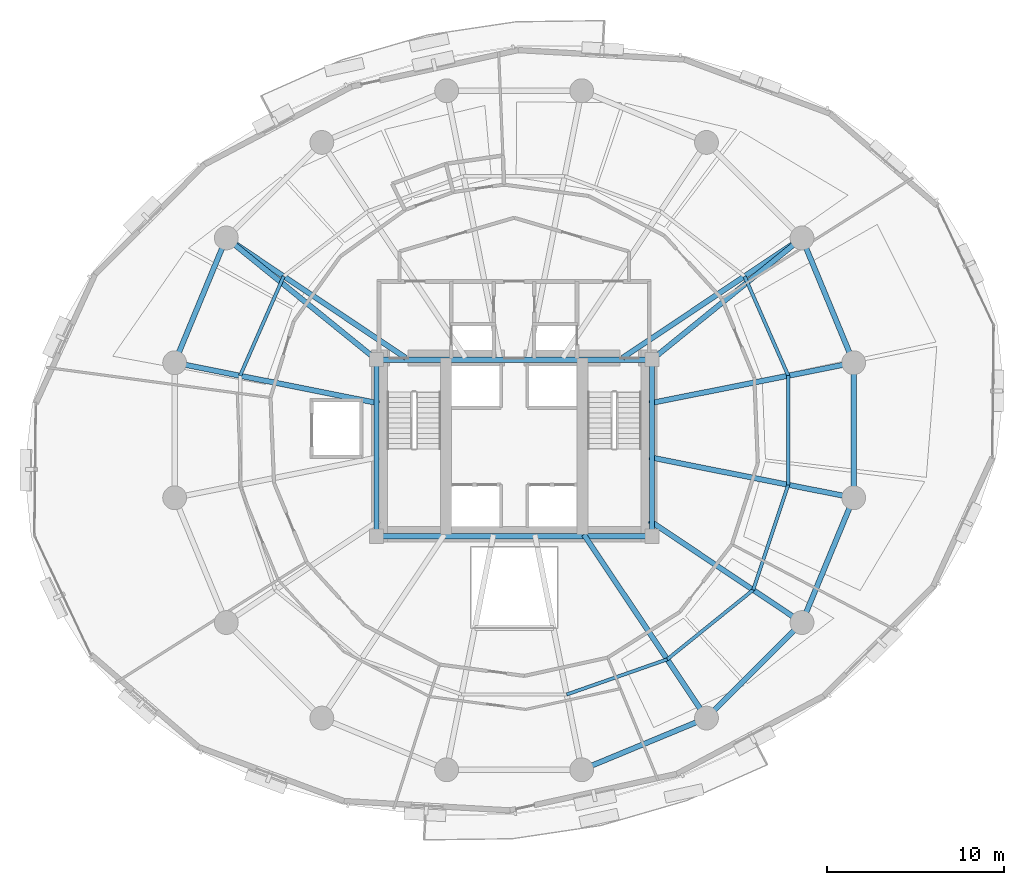
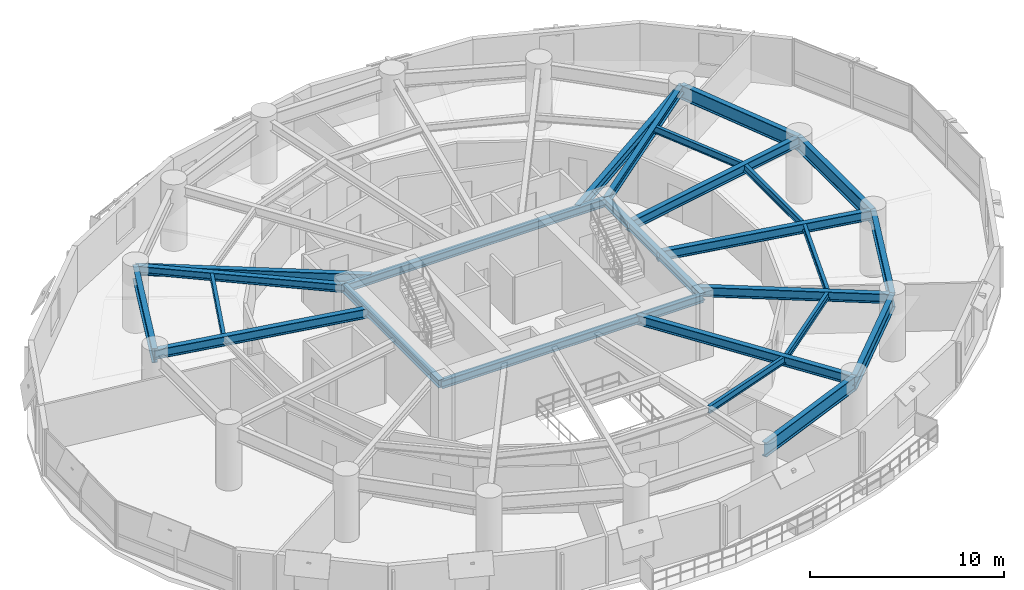
# One storey, part 7 of 17: 25 beams.
"""IFC4 building model written with IfcOpenShell, lengths in metres."""

from ifc_helpers import new_model, si_unit, direction, frame, origin, origin_2d, place, context, subcontext, project, spatial, i_section, extrude, material, material_profile, profile_set, type_object, element, save


model = new_model("IFC4")

# Units and contexts
model_context = context("Model", 3, precision=1e-05, world=origin(), true_north=direction((0.0, 1.0)))
body_context = subcontext(model_context, "Body", "Model", "MODEL_VIEW")
ifc_project = project(units=[si_unit("LENGTHUNIT", "METRE"), si_unit("AREAUNIT", "SQUARE_METRE"), si_unit("VOLUMEUNIT", "CUBIC_METRE"), si_unit("PLANEANGLEUNIT", "RADIAN"), si_unit("MASSUNIT", "GRAM", prefix="KILO"), si_unit("THERMODYNAMICTEMPERATUREUNIT", "KELVIN"), si_unit("POWERUNIT", "WATT")], contexts=[model_context])

# Site, building, storey
site_placement = place(None, origin())
site = spatial("IfcSite", under=ifc_project, at=site_placement, CompositionType="ELEMENT")
building_placement = place(site_placement, origin())
building = spatial("IfcBuilding", under=site, at=building_placement, Name="Ocrelia Relay Tower", CompositionType="ELEMENT")
storey_placement = place(building_placement, frame((0.0, 0.0, 84.60009765625)))
storey = spatial("IfcBuildingStorey", under=building, at=storey_placement, Name="L19", CompositionType="ELEMENT", Elevation=84.60009765625)

# Beams
ifc_material = material(Name="Steel S355", Category="steel")
ifc_material_profile_1 = material_profile(ifc_material, i_section(OverallWidth=0.300048828125, OverallDepth=0.5, WebThickness=0.014404296875, FlangeThickness=0.028076171875, FilletRadius=0.027099609375, at=origin_2d()), Name="HEB 500")
ifc_profile_set_1 = profile_set([ifc_material_profile_1], Name="Steel S355")
beam_type_1 = type_object("IfcBeamType", Name="BM-HEB500", PredefinedType="BEAM", material=ifc_profile_set_1)
for number, where, z_axis, x_axis, name in (
    (1, (26.199951171875, 20.0, 3.6298828125), (1.0, 0.0, 0.0), (0.0, 1.0, 0.0), "L19 Core Pilaster Tie Beam S"),
    (2, (26.199951171875, 30.0, 3.6298828125), (1.0, 0.0, 0.0), (0.0, 1.0, 0.0), "L19 Core Pilaster Tie Beam N"),
):
    element("IfcBeam", number, at=place(storey_placement, frame(where, z_axis=z_axis, x_axis=x_axis)), inside=storey, type_object=beam_type_1, Name=name, PredefinedType="BEAM", context=body_context, shape_type="SweptSolid", body=[
        extrude(i_section(OverallWidth=0.300048828125, OverallDepth=0.5, WebThickness=0.014404296875, FlangeThickness=0.028076171875, FilletRadius=0.027099609375, at=origin_2d()), origin(), (0.0, 0.0, 1.0), 15.60009765625),
    ])
for number, where, z_axis, x_axis, name in (
    (3, (26.199951171875, 20.0, 3.6298828125), (0.0, 1.0, 0.0), (-1.0, 0.0, 0.0), "L19 Core Pilaster Tie Beam W"),
    (4, (41.800048828125, 20.0, 3.6298828125), (0.0, 1.0, 0.0), (-1.0, 0.0, 0.0), "L19 Core Pilaster Tie Beam E"),
):
    element("IfcBeam", number, at=place(storey_placement, frame(where, z_axis=z_axis, x_axis=x_axis)), inside=storey, type_object=beam_type_1, Name=name, PredefinedType="BEAM", context=body_context, shape_type="SweptSolid", body=[
        extrude(i_section(OverallWidth=0.300048828125, OverallDepth=0.5, WebThickness=0.014404296875, FlangeThickness=0.028076171875, FilletRadius=0.027099609375, at=origin_2d()), origin(), (0.0, 0.0, 1.0), 10.0),
    ])
for number, where, z_axis, x_axis, name in (
    (5, (50.296875, 36.88916015625, 3.6298828125), (-0.776762830896, -0.629793223637, 0.0), (0.629793223637, -0.776762830896, 0.0), "L19 Core Pilaster Frame Tie Beam PT02"),
    (6, (17.703125, 36.88916015625, 3.6298828125), (0.776762830896, -0.629793223637, 0.0), (0.629793223637, 0.776762830896, 0.0), "L19 Core Pilaster Frame Tie Beam PT07"),
):
    element("IfcBeam", number, at=place(storey_placement, frame(where, z_axis=z_axis, x_axis=x_axis)), inside=storey, type_object=beam_type_1, Name=name, PredefinedType="BEAM", context=body_context, shape_type="SweptSolid", body=[
        extrude(i_section(OverallWidth=0.300048828125, OverallDepth=0.5, WebThickness=0.014404296875, FlangeThickness=0.028076171875, FilletRadius=0.027099609375, at=origin_2d()), origin(), (0.0, 0.0, 1.0), 10.938720703125),
    ])
ifc_material_profile_2 = material_profile(ifc_material, i_section(OverallWidth=0.300048828125, OverallDepth=0.60009765625, WebThickness=0.015380859375, FlangeThickness=0.030029296875, FilletRadius=0.027099609375, at=origin_2d()), Name="HEB 600")
ifc_profile_set_2 = profile_set([ifc_material_profile_2], Name="Steel S355")
beam_type_2 = type_object("IfcBeamType", Name="BM-HEB600", PredefinedType="BEAM", material=ifc_profile_set_2)
beam_1_placement = place(storey_placement, frame((53.223388671875, 29.82373046875, 3.579833984375), z_axis=(-0.980786324446, -0.195085073187, 0.0), x_axis=(0.195085073187, -0.980786324446, 0.0)))
element("IfcBeam", 7, at=beam_1_placement, inside=storey, type_object=beam_type_2, Name="L19 Radial Floor Girder R01", PredefinedType="BEAM", context=body_context, shape_type="SweptSolid", body=[
    extrude(i_section(OverallWidth=0.300048828125, OverallDepth=0.60009765625, WebThickness=0.015380859375, FlangeThickness=0.030029296875, FilletRadius=0.027099609375, at=origin_2d()), origin(), (0.0, 0.0, 1.0), 11.794921875),
])
for number, where, z_axis, x_axis, name in (
    (8, (50.296875, 36.88916015625, 3.579833984375), (-0.831471581268, -0.555567286243, 0.0), (0.555567286243, -0.831471581268, 0.0), "L19 Radial Floor Girder R02"),
    (9, (17.703125, 36.88916015625, 3.579833984375), (0.831471581268, -0.555567286243, 0.0), (0.555567286243, 0.831471581268, 0.0), "L19 Radial Floor Girder R07"),
):
    element("IfcBeam", number, at=place(storey_placement, frame(where, z_axis=z_axis, x_axis=x_axis)), inside=storey, type_object=beam_type_2, Name=name, PredefinedType="BEAM", context=body_context, shape_type="SweptSolid", body=[
        extrude(i_section(OverallWidth=0.300048828125, OverallDepth=0.60009765625, WebThickness=0.015380859375, FlangeThickness=0.030029296875, FilletRadius=0.027099609375, at=origin_2d()), origin(), (0.0, 0.0, 1.0), 12.211181640625),
    ])
beam_2_placement = place(storey_placement, frame((14.776611328125, 29.82373046875, 3.579833984375), z_axis=(0.980786938484, -0.195081986098, 0.0), x_axis=(0.195081986098, 0.980786938484, 0.0)))
element("IfcBeam", 10, at=beam_2_placement, inside=storey, type_object=beam_type_2, Name="L19 Radial Floor Girder R08", PredefinedType="BEAM", context=body_context, shape_type="SweptSolid", body=[
    extrude(i_section(OverallWidth=0.300048828125, OverallDepth=0.60009765625, WebThickness=0.015380859375, FlangeThickness=0.030029296875, FilletRadius=0.027099609375, at=origin_2d()), origin(), (0.0, 0.0, 1.0), 11.80517578125),
])
beam_3_placement = place(storey_placement, frame((44.88916015625, 9.703125, 3.579833984375), z_axis=(-0.555569912646, 0.831469826369, 0.0), x_axis=(-0.831469826369, -0.555569912646, 0.0)))
element("IfcBeam", 11, at=beam_3_placement, inside=storey, type_object=beam_type_2, Name="L19 Radial Floor Girder R14", PredefinedType="BEAM", context=body_context, shape_type="SweptSolid", body=[
    extrude(i_section(OverallWidth=0.300048828125, OverallDepth=0.60009765625, WebThickness=0.015380859375, FlangeThickness=0.030029296875, FilletRadius=0.027099609375, at=origin_2d()), origin(), (0.0, 0.0, 1.0), 12.498046875),
])
beam_4_placement = place(storey_placement, frame((50.296875, 15.11083984375, 3.579833984375), z_axis=(-0.831475246583, 0.555561800631, 0.0), x_axis=(-0.555561800631, -0.831475246583, 0.0)))
element("IfcBeam", 12, at=beam_4_placement, inside=storey, type_object=beam_type_2, Name="L19 Radial Floor Girder R15", PredefinedType="BEAM", context=body_context, shape_type="SweptSolid", body=[
    extrude(i_section(OverallWidth=0.300048828125, OverallDepth=0.60009765625, WebThickness=0.015380859375, FlangeThickness=0.030029296875, FilletRadius=0.027099609375, at=origin_2d()), origin(), (0.0, 0.0, 1.0), 10.393310546875),
])
beam_5_placement = place(storey_placement, frame((53.223388671875, 22.17626953125, 3.579833984375), z_axis=(-0.980786324446, 0.195085073187, 0.0), x_axis=(-0.195085073187, -0.980786324446, 0.0)))
element("IfcBeam", 13, at=beam_5_placement, inside=storey, type_object=beam_type_2, Name="L19 Radial Floor Girder R16", PredefinedType="BEAM", context=body_context, shape_type="SweptSolid", body=[
    extrude(i_section(OverallWidth=0.300048828125, OverallDepth=0.60009765625, WebThickness=0.015380859375, FlangeThickness=0.030029296875, FilletRadius=0.027099609375, at=origin_2d()), origin(), (0.0, 0.0, 1.0), 11.794921875),
])
ifc_material_profile_3 = material_profile(ifc_material, i_section(OverallWidth=0.300048828125, OverallDepth=0.89990234375, WebThickness=0.0185546875, FlangeThickness=0.034912109375, FilletRadius=0.030029296875, at=origin_2d()), Name="HEB 900")
ifc_profile_set_3 = profile_set([ifc_material_profile_3], Name="Steel S355")
beam_type_3 = type_object("IfcBeamType", Name="BM-HEB900", PredefinedType="BEAM", material=ifc_profile_set_3)
for number, where, z_axis, x_axis, name in (
    (14, (53.223388671875, 29.82373046875, 3.429931640625), (-0.382674154222, 0.923883375589, 0.0), (-0.923883375589, -0.382674154222, 0.0), "L19 Perimeter Spandrel Beam S01"),
    (15, (17.703125, 36.88916015625, 3.429931640625), (-0.382674154222, -0.923883375589, 0.0), (0.923883375589, -0.382674154222, 0.0), "L19 Perimeter Spandrel Beam S07"),
    (16, (37.82373046875, 6.776611328125, 3.429931640625), (0.923883375589, 0.382674154222, 0.0), (-0.382674154222, 0.923883375589, 0.0), "L19 Perimeter Spandrel Beam S13"),
):
    element("IfcBeam", number, at=place(storey_placement, frame(where, z_axis=z_axis, x_axis=x_axis)), inside=storey, type_object=beam_type_3, Name=name, PredefinedType="BEAM", context=body_context, shape_type="SweptSolid", body=[
        extrude(i_section(OverallWidth=0.300048828125, OverallDepth=0.89990234375, WebThickness=0.0185546875, FlangeThickness=0.034912109375, FilletRadius=0.030029296875, at=origin_2d()), origin(), (0.0, 0.0, 1.0), 7.6474609375),
    ])
beam_6_placement = place(storey_placement, frame((44.88916015625, 9.703125, 3.429931640625), z_axis=(0.707106781187, 0.707106781187, 0.0), x_axis=(-0.707106781187, 0.707106781187, 0.0)))
element("IfcBeam", 17, at=beam_6_placement, inside=storey, type_object=beam_type_3, Name="L19 Perimeter Spandrel Beam S14", PredefinedType="BEAM", context=body_context, shape_type="SweptSolid", body=[
    extrude(i_section(OverallWidth=0.300048828125, OverallDepth=0.89990234375, WebThickness=0.0185546875, FlangeThickness=0.034912109375, FilletRadius=0.030029296875, at=origin_2d()), origin(), (0.0, 0.0, 1.0), 7.647705078125),
])
for number, where, z_axis, x_axis, name in (
    (18, (50.296875, 15.11083984375, 3.429931640625), (0.382674154222, 0.923883375589, 0.0), (-0.923883375589, 0.382674154222, 0.0), "L19 Perimeter Spandrel Beam S15"),
    (19, (53.223388671875, 22.17626953125, 3.429931640625), (0.0, 1.0, 0.0), (-1.0, 0.0, 0.0), "L19 Perimeter Spandrel Beam S16"),
):
    element("IfcBeam", number, at=place(storey_placement, frame(where, z_axis=z_axis, x_axis=x_axis)), inside=storey, type_object=beam_type_3, Name=name, PredefinedType="BEAM", context=body_context, shape_type="SweptSolid", body=[
        extrude(i_section(OverallWidth=0.300048828125, OverallDepth=0.89990234375, WebThickness=0.0185546875, FlangeThickness=0.034912109375, FilletRadius=0.030029296875, at=origin_2d()), origin(), (0.0, 0.0, 1.0), 7.6474609375),
    ])
ifc_material_profile_4 = material_profile(ifc_material, i_section(OverallWidth=0.18994140625, OverallDepth=0.449951171875, WebThickness=0.009521484375, FlangeThickness=0.0146484375, FilletRadius=0.02099609375, at=origin_2d()), Name="IPE 450")
ifc_profile_set_4 = profile_set([ifc_material_profile_4], Name="Steel S355")
beam_type_4 = type_object("IfcBeamType", Name="BM-IPE450", PredefinedType="JOIST", material=ifc_profile_set_4)
beam_7_placement = place(storey_placement, frame((49.521484375, 29.08740234375, 3.65478515625), z_axis=(-0.402201104053, 0.915551348586, 0.0), x_axis=(-0.915551348586, -0.402201104053, 0.0)))
element("IfcBeam", 20, at=beam_7_placement, inside=storey, type_object=beam_type_4, Name="L19 Secondary Floor Joist J01", PredefinedType="JOIST", context=body_context, shape_type="SweptSolid", body=[
    extrude(i_section(OverallWidth=0.18994140625, OverallDepth=0.449951171875, WebThickness=0.009521484375, FlangeThickness=0.0146484375, FilletRadius=0.02099609375, at=origin_2d()), origin(), (0.0, 0.0, 1.0), 6.150146484375),
])
beam_8_placement = place(storey_placement, frame((20.9521484375, 34.71826171875, 3.65478515625), z_axis=(-0.401739185135, -0.915754130281, 0.0), x_axis=(0.915754130281, -0.401739185135, 0.0)))
element("IfcBeam", 21, at=beam_8_placement, inside=storey, type_object=beam_type_4, Name="L19 Secondary Floor Joist J07", PredefinedType="JOIST", context=body_context, shape_type="SweptSolid", body=[
    extrude(i_section(OverallWidth=0.18994140625, OverallDepth=0.449951171875, WebThickness=0.009521484375, FlangeThickness=0.0146484375, FilletRadius=0.02099609375, at=origin_2d()), origin(), (0.0, 0.0, 1.0), 6.1494140625),
])
beam_9_placement = place(storey_placement, frame((36.97607421875, 11.03857421875, 3.65478515625), z_axis=(0.943957429675, 0.330067221882, 0.0), x_axis=(-0.330067221882, 0.943957429675, 0.0)))
element("IfcBeam", 22, at=beam_9_placement, inside=storey, type_object=beam_type_4, Name="L19 Secondary Floor Joist J13", PredefinedType="JOIST", context=body_context, shape_type="SweptSolid", body=[
    extrude(i_section(OverallWidth=0.18994140625, OverallDepth=0.449951171875, WebThickness=0.009521484375, FlangeThickness=0.0146484375, FilletRadius=0.02099609375, at=origin_2d()), origin(), (0.0, 0.0, 1.0), 6.029052734375),
])
beam_10_placement = place(storey_placement, frame((42.667236328125, 13.028564453125, 3.65478515625), z_axis=(0.777854562422, 0.628444333031, 0.0), x_axis=(-0.628444333031, 0.777854562422, 0.0)))
element("IfcBeam", 23, at=beam_10_placement, inside=storey, type_object=beam_type_4, Name="L19 Secondary Floor Joist J14", PredefinedType="JOIST", context=body_context, shape_type="SweptSolid", body=[
    extrude(i_section(OverallWidth=0.18994140625, OverallDepth=0.449951171875, WebThickness=0.009521484375, FlangeThickness=0.0146484375, FilletRadius=0.02099609375, at=origin_2d()), origin(), (0.0, 0.0, 1.0), 6.25341796875),
])
beam_11_placement = place(storey_placement, frame((47.531494140625, 16.95849609375, 3.65478515625), z_axis=(0.31698600471, 0.948430215049, 0.0), x_axis=(-0.948430215049, 0.31698600471, 0.0)))
element("IfcBeam", 24, at=beam_11_placement, inside=storey, type_object=beam_type_4, Name="L19 Secondary Floor Joist J15", PredefinedType="JOIST", context=body_context, shape_type="SweptSolid", body=[
    extrude(i_section(OverallWidth=0.18994140625, OverallDepth=0.449951171875, WebThickness=0.009521484375, FlangeThickness=0.0146484375, FilletRadius=0.02099609375, at=origin_2d()), origin(), (0.0, 0.0, 1.0), 6.27783203125),
])
beam_12_placement = place(storey_placement, frame((49.521484375, 22.91259765625, 3.65478515625), z_axis=(0.0, 1.0, 0.0), x_axis=(-1.0, 0.0, 0.0)))
element("IfcBeam", 25, at=beam_12_placement, inside=storey, type_object=beam_type_4, Name="L19 Secondary Floor Joist J16", PredefinedType="JOIST", context=body_context, shape_type="SweptSolid", body=[
    extrude(i_section(OverallWidth=0.18994140625, OverallDepth=0.449951171875, WebThickness=0.009521484375, FlangeThickness=0.0146484375, FilletRadius=0.02099609375, at=origin_2d()), origin(), (0.0, 0.0, 1.0), 6.1748046875),
])

save(model, "model.ifc")
